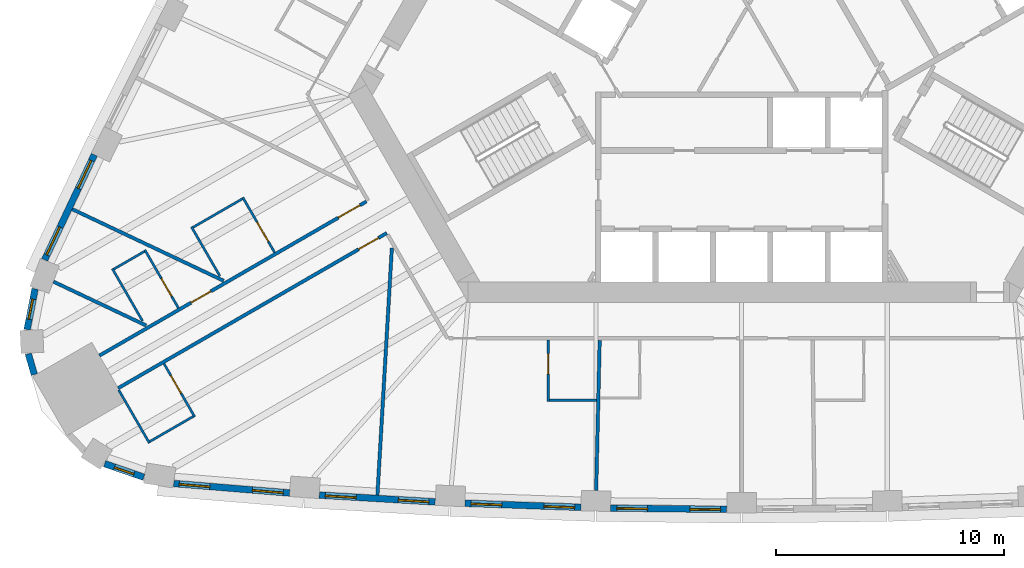
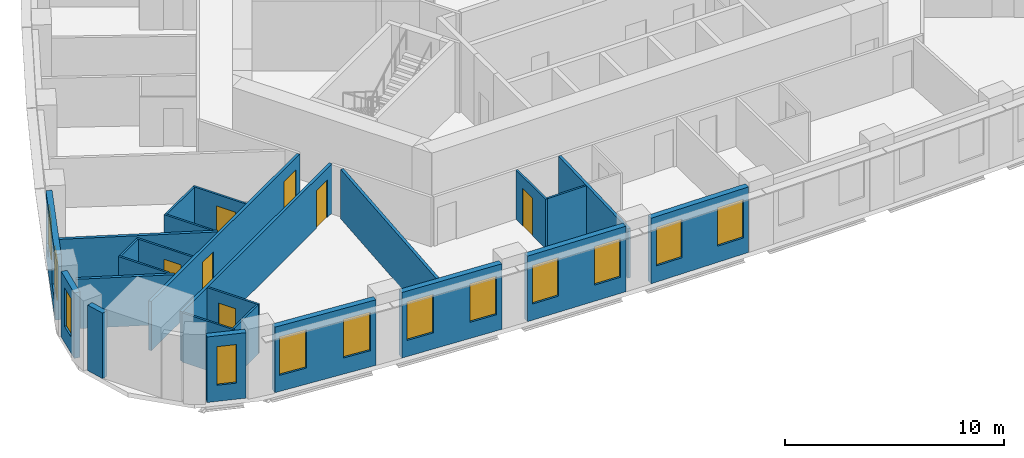
# One storey, part 3 of 13: 25 walls, 12 windows, 7 doors, 19 openings.
"""IFC4 building model written with IfcOpenShell, lengths in metres."""

from ifc_helpers import new_model, si_unit, direction, frame, frame_2d, origin, place, context, subcontext, project, spatial, rectangle, extrude, material, layer, layer_set, type_object, element, fill, save


model = new_model("IFC4")

# Units and contexts
model_context = context("Model", 3, precision=1e-05, world=origin(), true_north=direction((0.0, 1.0)))
body_context = subcontext(model_context, "Body", "Model", "MODEL_VIEW")
ifc_project = project(units=[si_unit("LENGTHUNIT", "METRE"), si_unit("AREAUNIT", "SQUARE_METRE"), si_unit("VOLUMEUNIT", "CUBIC_METRE"), si_unit("PLANEANGLEUNIT", "RADIAN"), si_unit("MASSUNIT", "GRAM", prefix="KILO")], contexts=[model_context])

# Site, building, storey
site_placement = place(None, origin())
site = spatial("IfcSite", under=ifc_project, at=site_placement, CompositionType="ELEMENT")
building_placement = place(site_placement, origin())
building = spatial("IfcBuilding", under=site, at=building_placement, Name="Mestral Congress Tower", CompositionType="ELEMENT")
storey_placement = place(building_placement, frame((0.0, 0.0, 114.89990234375)))
storey = spatial("IfcBuildingStorey", under=building, at=storey_placement, Name="L27", CompositionType="ELEMENT", Elevation=114.89990234375)

# Wall, openings, windows
ifc_material_1 = material(Name="Precast concrete C40/50 with limestone facing", Category="masonry")
ifc_layer_1 = layer(ifc_material_1, 0.2900390625)
ifc_layer_set_1 = layer_set([ifc_layer_1], Name="Precast concrete C40/50 with limestone facing")
wall_type_1 = type_object("IfcWallType", Name="Facade stone wall 290", PredefinedType="SOLIDWALL", material=ifc_layer_set_1)
wall_1_placement = place(storey_placement, frame((-24.9462890625, -20.95361328125, 0.0), z_axis=(0.0, 0.0, 1.0), x_axis=(0.99665273362, -0.081751627308, 0.0)))
wall_1 = element("IfcWall", 1, at=wall_1_placement, inside=storey, type_object=wall_type_1, Name="Facade wall F0-00", PredefinedType="SOLIDWALL", context=body_context, shape_type="SweptSolid", body=[
    extrude(rectangle(XDim=5.106689453125, YDim=0.2900390625, at=frame_2d((2.55322265625, 0.0))), origin(), (0.0, 0.0, 1.0), 3.650146484375),
])
opening_1_placement = place(wall_1_placement, frame((0.240478515625, 0.0, 0.89990234375)))
opening_1 = element("IfcOpeningElement", 2, at=opening_1_placement, cuts=wall_1, Name="Opening W2", PredefinedType="OPENING", context=body_context, shape_type="SweptSolid", body=[
    extrude(rectangle(XDim=1.35009765625, YDim=2.14990234375, at=frame_2d((0.675048828125, 1.074951171875))), frame((0.0, 0.155029296875, 0.0), z_axis=(0.0, -1.0, 0.0), x_axis=(1.0, 0.0, 0.0)), (0.0, 0.0, 1.0), 0.31005859375),
])
opening_2_placement = place(wall_1_placement, frame((3.47119140625, 0.0, 0.89990234375)))
opening_2 = element("IfcOpeningElement", 3, at=opening_2_placement, cuts=wall_1, Name="Opening W2", PredefinedType="OPENING", context=body_context, shape_type="SweptSolid", body=[
    extrude(rectangle(XDim=1.35009765625, YDim=2.14990234375, at=frame_2d((0.675048828125, 1.074951171875))), frame((0.0, 0.155029296875, 0.0), z_axis=(0.0, -1.0, 0.0), x_axis=(1.0, 0.0, 0.0)), (0.0, 0.0, 1.0), 0.31005859375),
])
ifc_material_2 = material(Name="Clear low-emissivity double glazing", Category="glass")
window_type_1 = type_object("IfcWindowType", Name="Facade punched window 1350 x 2150 sill 900", PartitioningType="DOUBLE_PANEL_VERTICAL", PredefinedType="WINDOW", material=ifc_material_2)
window_1_placement = place(opening_1_placement, origin())
window_1 = element("IfcWindow", 4, at=window_1_placement, inside=storey, type_object=window_type_1, Name="Window F0-00a", OverallHeight=2.14990234375, OverallWidth=1.35009765625, PartitioningType="DOUBLE_PANEL_VERTICAL", PredefinedType="WINDOW", context=body_context, shape_type="SweptSolid", body=[
    extrude(rectangle(XDim=1.35009765625, YDim=2.14990234375, at=frame_2d((0.675048828125, 1.074951171875))), frame((0.0, 0.01513671875, 0.0), z_axis=(0.0, -1.0, 0.0), x_axis=(1.0, 0.0, 0.0)), (0.0, 0.0, 1.0), 0.06005859375),
])
fill(opening_1, window_1)
window_2_placement = place(opening_2_placement, origin())
window_2 = element("IfcWindow", 5, at=window_2_placement, inside=storey, type_object=window_type_1, Name="Window F0-00b", OverallHeight=2.14990234375, OverallWidth=1.35009765625, PartitioningType="DOUBLE_PANEL_VERTICAL", PredefinedType="WINDOW", context=body_context, shape_type="SweptSolid", body=[
    extrude(rectangle(XDim=1.35009765625, YDim=2.14990234375, at=frame_2d((0.675048828125, 1.074951171875))), frame((0.0, 0.01513671875, 0.0), z_axis=(0.0, -1.0, 0.0), x_axis=(1.0, 0.0, 0.0)), (0.0, 0.0, 1.0), 0.06005859375),
])
fill(opening_2, window_2)

wall_2_placement = place(storey_placement, frame((-18.553466796875, -21.462890625, 0.0), z_axis=(0.0, 0.0, 1.0), x_axis=(0.998290511436, -0.058447025388, 0.0)))
wall_2 = element("IfcWall", 6, at=wall_2_placement, inside=storey, type_object=wall_type_1, Name="Facade wall F0-01", PredefinedType="SOLIDWALL", context=body_context, shape_type="SweptSolid", body=[
    extrude(rectangle(XDim=5.100341796875, YDim=0.2900390625, at=frame_2d((2.55029296875, 0.0))), origin(), (0.0, 0.0, 1.0), 3.650146484375),
])
opening_3_placement = place(wall_2_placement, frame((0.272705078125, 0.0, 0.89990234375)))
opening_3 = element("IfcOpeningElement", 7, at=opening_3_placement, cuts=wall_2, Name="Opening W2", PredefinedType="OPENING", context=body_context, shape_type="SweptSolid", body=[
    extrude(rectangle(XDim=1.35009765625, YDim=2.14990234375, at=frame_2d((0.675048828125, 1.074951171875))), frame((0.0, 0.155029296875, 0.0), z_axis=(0.0, -1.0, 0.0), x_axis=(1.0, 0.0, 0.0)), (0.0, 0.0, 1.0), 0.31005859375),
])
opening_4_placement = place(wall_2_placement, frame((3.477783203125, 0.0, 0.89990234375)))
opening_4 = element("IfcOpeningElement", 8, at=opening_4_placement, cuts=wall_2, Name="Opening W2", PredefinedType="OPENING", context=body_context, shape_type="SweptSolid", body=[
    extrude(rectangle(XDim=1.35009765625, YDim=2.14990234375, at=frame_2d((0.675048828125, 1.074951171875))), frame((0.0, 0.155029296875, 0.0), z_axis=(0.0, -1.0, 0.0), x_axis=(1.0, 0.0, 0.0)), (0.0, 0.0, 1.0), 0.31005859375),
])
window_3_placement = place(opening_3_placement, origin())
window_3 = element("IfcWindow", 9, at=window_3_placement, inside=storey, type_object=window_type_1, Name="Window F0-01a", OverallHeight=2.14990234375, OverallWidth=1.35009765625, PartitioningType="DOUBLE_PANEL_VERTICAL", PredefinedType="WINDOW", context=body_context, shape_type="SweptSolid", body=[
    extrude(rectangle(XDim=1.35009765625, YDim=2.14990234375, at=frame_2d((0.675048828125, 1.074951171875))), frame((0.0, 0.01513671875, 0.0), z_axis=(0.0, -1.0, 0.0), x_axis=(1.0, 0.0, 0.0)), (0.0, 0.0, 1.0), 0.06005859375),
])
fill(opening_3, window_3)
window_4_placement = place(opening_4_placement, origin())
window_4 = element("IfcWindow", 10, at=window_4_placement, inside=storey, type_object=window_type_1, Name="Window F0-01b", OverallHeight=2.14990234375, OverallWidth=1.35009765625, PartitioningType="DOUBLE_PANEL_VERTICAL", PredefinedType="WINDOW", context=body_context, shape_type="SweptSolid", body=[
    extrude(rectangle(XDim=1.35009765625, YDim=2.14990234375, at=frame_2d((0.675048828125, 1.074951171875))), frame((0.0, 0.01513671875, 0.0), z_axis=(0.0, -1.0, 0.0), x_axis=(1.0, 0.0, 0.0)), (0.0, 0.0, 1.0), 0.06005859375),
])
fill(opening_4, window_4)

wall_3_placement = place(storey_placement, frame((-12.15673828125, -21.822021484375, 0.0), z_axis=(0.0, 0.0, 1.0), x_axis=(0.999385993957, -0.035037623812, 0.0)))
wall_3 = element("IfcWall", 11, at=wall_3_placement, inside=storey, type_object=wall_type_1, Name="Facade wall F0-02", PredefinedType="SOLIDWALL", context=body_context, shape_type="SweptSolid", body=[
    extrude(rectangle(XDim=5.1005859375, YDim=0.2900390625, at=frame_2d((2.55029296875, 0.0))), origin(), (0.0, 0.0, 1.0), 3.650146484375),
])
opening_5_placement = place(wall_3_placement, frame((0.272705078125, 0.0, 0.89990234375)))
opening_5 = element("IfcOpeningElement", 12, at=opening_5_placement, cuts=wall_3, Name="Opening W2", PredefinedType="OPENING", context=body_context, shape_type="SweptSolid", body=[
    extrude(rectangle(XDim=1.35009765625, YDim=2.14990234375, at=frame_2d((0.675048828125, 1.074951171875))), frame((0.0, 0.155029296875, 0.0), z_axis=(0.0, -1.0, 0.0), x_axis=(1.0, 0.0, 0.0)), (0.0, 0.0, 1.0), 0.31005859375),
])
opening_6_placement = place(wall_3_placement, frame((3.477783203125, 0.0, 0.89990234375)))
opening_6 = element("IfcOpeningElement", 13, at=opening_6_placement, cuts=wall_3, Name="Opening W2", PredefinedType="OPENING", context=body_context, shape_type="SweptSolid", body=[
    extrude(rectangle(XDim=1.35009765625, YDim=2.14990234375, at=frame_2d((0.675048828125, 1.074951171875))), frame((0.0, 0.155029296875, 0.0), z_axis=(0.0, -1.0, 0.0), x_axis=(1.0, 0.0, 0.0)), (0.0, 0.0, 1.0), 0.31005859375),
])
window_5_placement = place(opening_5_placement, origin())
window_5 = element("IfcWindow", 14, at=window_5_placement, inside=storey, type_object=window_type_1, Name="Window F0-02a", OverallHeight=2.14990234375, OverallWidth=1.35009765625, PartitioningType="DOUBLE_PANEL_VERTICAL", PredefinedType="WINDOW", context=body_context, shape_type="SweptSolid", body=[
    extrude(rectangle(XDim=1.35009765625, YDim=2.14990234375, at=frame_2d((0.675048828125, 1.074951171875))), frame((0.0, 0.01513671875, 0.0), z_axis=(0.0, -1.0, 0.0), x_axis=(1.0, 0.0, 0.0)), (0.0, 0.0, 1.0), 0.06005859375),
])
fill(opening_5, window_5)
window_6_placement = place(opening_6_placement, origin())
window_6 = element("IfcWindow", 15, at=window_6_placement, inside=storey, type_object=window_type_1, Name="Window F0-02b", OverallHeight=2.14990234375, OverallWidth=1.35009765625, PartitioningType="DOUBLE_PANEL_VERTICAL", PredefinedType="WINDOW", context=body_context, shape_type="SweptSolid", body=[
    extrude(rectangle(XDim=1.35009765625, YDim=2.14990234375, at=frame_2d((0.675048828125, 1.074951171875))), frame((0.0, 0.01513671875, 0.0), z_axis=(0.0, -1.0, 0.0), x_axis=(1.0, 0.0, 0.0)), (0.0, 0.0, 1.0), 0.06005859375),
])
fill(opening_6, window_6)

wall_4_placement = place(storey_placement, frame((-5.753173828125, -22.031494140625, 0.0), z_axis=(0.0, 0.0, 1.0), x_axis=(0.999931786565, -0.011679992145, 0.0)))
wall_4 = element("IfcWall", 16, at=wall_4_placement, inside=storey, type_object=wall_type_1, Name="Facade wall F0-03", PredefinedType="SOLIDWALL", context=body_context, shape_type="SweptSolid", body=[
    extrude(rectangle(XDim=5.10009765625, YDim=0.2900390625, at=frame_2d((2.550048828125, 0.0))), origin(), (0.0, 0.0, 1.0), 3.650146484375),
])
opening_7_placement = place(wall_4_placement, frame((0.2724609375, 0.0, 0.89990234375)))
opening_7 = element("IfcOpeningElement", 17, at=opening_7_placement, cuts=wall_4, Name="Opening W2", PredefinedType="OPENING", context=body_context, shape_type="SweptSolid", body=[
    extrude(rectangle(XDim=1.35009765625, YDim=2.14990234375, at=frame_2d((0.675048828125, 1.074951171875))), frame((0.0, 0.155029296875, 0.0), z_axis=(0.0, -1.0, 0.0), x_axis=(1.0, 0.0, 0.0)), (0.0, 0.0, 1.0), 0.31005859375),
])
opening_8_placement = place(wall_4_placement, frame((3.477783203125, 0.0, 0.89990234375)))
opening_8 = element("IfcOpeningElement", 18, at=opening_8_placement, cuts=wall_4, Name="Opening W2", PredefinedType="OPENING", context=body_context, shape_type="SweptSolid", body=[
    extrude(rectangle(XDim=1.35009765625, YDim=2.14990234375, at=frame_2d((0.675048828125, 1.074951171875))), frame((0.0, 0.155029296875, 0.0), z_axis=(0.0, -1.0, 0.0), x_axis=(1.0, 0.0, 0.0)), (0.0, 0.0, 1.0), 0.31005859375),
])
window_7_placement = place(opening_7_placement, origin())
window_7 = element("IfcWindow", 19, at=window_7_placement, inside=storey, type_object=window_type_1, Name="Window F0-03a", OverallHeight=2.14990234375, OverallWidth=1.35009765625, PartitioningType="DOUBLE_PANEL_VERTICAL", PredefinedType="WINDOW", context=body_context, shape_type="SweptSolid", body=[
    extrude(rectangle(XDim=1.35009765625, YDim=2.14990234375, at=frame_2d((0.675048828125, 1.074951171875))), frame((0.0, 0.01513671875, 0.0), z_axis=(0.0, -1.0, 0.0), x_axis=(1.0, 0.0, 0.0)), (0.0, 0.0, 1.0), 0.06005859375),
])
fill(opening_7, window_7)
window_8_placement = place(opening_8_placement, origin())
window_8 = element("IfcWindow", 20, at=window_8_placement, inside=storey, type_object=window_type_1, Name="Window F0-03b", OverallHeight=2.14990234375, OverallWidth=1.35009765625, PartitioningType="DOUBLE_PANEL_VERTICAL", PredefinedType="WINDOW", context=body_context, shape_type="SweptSolid", body=[
    extrude(rectangle(XDim=1.35009765625, YDim=2.14990234375, at=frame_2d((0.675048828125, 1.074951171875))), frame((0.0, 0.01513671875, 0.0), z_axis=(0.0, -1.0, 0.0), x_axis=(1.0, 0.0, 0.0)), (0.0, 0.0, 1.0), 0.06005859375),
])
fill(opening_8, window_8)

wall_5_placement = place(storey_placement, frame((-28.436279296875, -6.5107421875, 0.0), z_axis=(0.0, 0.0, 1.0), x_axis=(-0.427543726596, -0.903994669148, 0.0)))
wall_5 = element("IfcWall", 21, at=wall_5_placement, inside=storey, type_object=wall_type_1, Name="Facade wall F2-07", PredefinedType="SOLIDWALL", context=body_context, shape_type="SweptSolid", body=[
    extrude(rectangle(XDim=5.106689453125, YDim=0.2900390625, at=frame_2d((2.55322265625, 0.0))), origin(), (0.0, 0.0, 1.0), 3.650146484375),
])
opening_9_placement = place(wall_5_placement, frame((0.285400390625, 0.0, 0.89990234375)))
opening_9 = element("IfcOpeningElement", 22, at=opening_9_placement, cuts=wall_5, Name="Opening W2", PredefinedType="OPENING", context=body_context, shape_type="SweptSolid", body=[
    extrude(rectangle(XDim=1.35009765625, YDim=2.14990234375, at=frame_2d((0.675048828125, 1.074951171875))), frame((0.0, 0.155029296875, 0.0), z_axis=(0.0, -1.0, 0.0), x_axis=(1.0, 0.0, 0.0)), (0.0, 0.0, 1.0), 0.31005859375),
])
opening_10_placement = place(wall_5_placement, frame((3.516357421875, 0.0, 0.89990234375)))
opening_10 = element("IfcOpeningElement", 23, at=opening_10_placement, cuts=wall_5, Name="Opening W2", PredefinedType="OPENING", context=body_context, shape_type="SweptSolid", body=[
    extrude(rectangle(XDim=1.35009765625, YDim=2.14990234375, at=frame_2d((0.675048828125, 1.074951171875))), frame((0.0, 0.155029296875, 0.0), z_axis=(0.0, -1.0, 0.0), x_axis=(1.0, 0.0, 0.0)), (0.0, 0.0, 1.0), 0.31005859375),
])
window_9_placement = place(opening_9_placement, origin())
window_9 = element("IfcWindow", 24, at=window_9_placement, inside=storey, type_object=window_type_1, Name="Window F2-07a", OverallHeight=2.14990234375, OverallWidth=1.35009765625, PartitioningType="DOUBLE_PANEL_VERTICAL", PredefinedType="WINDOW", context=body_context, shape_type="SweptSolid", body=[
    extrude(rectangle(XDim=1.35009765625, YDim=2.14990234375, at=frame_2d((0.675048828125, 1.074951171875))), frame((0.0, 0.01513671875, 0.0), z_axis=(0.0, -1.0, 0.0), x_axis=(1.0, 0.0, 0.0)), (0.0, 0.0, 1.0), 0.06005859375),
])
fill(opening_9, window_9)
window_10_placement = place(opening_10_placement, origin())
window_10 = element("IfcWindow", 25, at=window_10_placement, inside=storey, type_object=window_type_1, Name="Window F2-07b", OverallHeight=2.14990234375, OverallWidth=1.35009765625, PartitioningType="DOUBLE_PANEL_VERTICAL", PredefinedType="WINDOW", context=body_context, shape_type="SweptSolid", body=[
    extrude(rectangle(XDim=1.35009765625, YDim=2.14990234375, at=frame_2d((0.675048828125, 1.074951171875))), frame((0.0, 0.01513671875, 0.0), z_axis=(0.0, -1.0, 0.0), x_axis=(1.0, 0.0, 0.0)), (0.0, 0.0, 1.0), 0.06005859375),
])
fill(opening_10, window_10)

# Wall, opening, window
wall_6_placement = place(storey_placement, frame((-31.0390625, -12.403076171875, 0.0), z_axis=(0.0, 0.0, 1.0), x_axis=(-0.190409913989, -0.981704672829, 0.0)))
wall_6 = element("IfcWall", 26, at=wall_6_placement, inside=storey, type_object=wall_type_1, Name="Facade wall K2-0", PredefinedType="SOLIDWALL", context=body_context, shape_type="SweptSolid", body=[
    extrude(rectangle(XDim=1.8193359375, YDim=0.2900390625, at=frame_2d((0.90966796875, 0.0))), origin(), (0.0, 0.0, 1.0), 3.650146484375),
])
opening_11_placement = place(wall_6_placement, frame((0.459716796875, 0.0, 0.89990234375)))
opening_11 = element("IfcOpeningElement", 27, at=opening_11_placement, cuts=wall_6, Name="Opening W3", PredefinedType="OPENING", context=body_context, shape_type="SweptSolid", body=[
    extrude(rectangle(XDim=0.89990234375, YDim=2.14990234375, at=frame_2d((0.449951171875, 1.074951171875))), frame((0.0, 0.155029296875, 0.0), z_axis=(0.0, -1.0, 0.0), x_axis=(1.0, 0.0, 0.0)), (0.0, 0.0, 1.0), 0.31005859375),
])
window_type_2 = type_object("IfcWindowType", Name="Facade punched window 900 x 2150 sill 900", PartitioningType="SINGLE_PANEL", PredefinedType="WINDOW", material=ifc_material_2)
window_11_placement = place(opening_11_placement, origin())
window_11 = element("IfcWindow", 28, at=window_11_placement, inside=storey, type_object=window_type_2, Name="Window K2-0", OverallHeight=2.14990234375, OverallWidth=0.89990234375, PartitioningType="SINGLE_PANEL", PredefinedType="WINDOW", context=body_context, shape_type="SweptSolid", body=[
    extrude(rectangle(XDim=0.89990234375, YDim=2.14990234375, at=frame_2d((0.449951171875, 1.074951171875))), frame((0.0, 0.01513671875, 0.0), z_axis=(0.0, -1.0, 0.0), x_axis=(1.0, 0.0, 0.0)), (0.0, 0.0, 1.0), 0.06005859375),
])
fill(opening_11, window_11)

# Wall
wall_7_placement = place(storey_placement, frame((-31.335693359375, -15.25634765625, 0.0), z_axis=(0.0, 0.0, 1.0), x_axis=(0.281454582132, -0.95957455062, 0.0)))
element("IfcWall", 29, at=wall_7_placement, inside=storey, type_object=wall_type_1, Name="Facade wall K2-1", PredefinedType="SOLIDWALL", context=body_context, shape_type="SweptSolid", body=[
    extrude(rectangle(XDim=0.947265625, YDim=0.2900390625, at=frame_2d((0.4736328125, 0.0))), origin(), (0.0, 0.0, 1.0), 3.650146484375),
])

# Wall, opening, window
wall_8_placement = place(storey_placement, frame((-27.98095703125, -20.086181640625, 0.0), z_axis=(0.0, 0.0, 1.0), x_axis=(0.945385815453, -0.325953462844, 0.0)))
wall_8 = element("IfcWall", 30, at=wall_8_placement, inside=storey, type_object=wall_type_1, Name="Facade wall K2-3", PredefinedType="SOLIDWALL", context=body_context, shape_type="SweptSolid", body=[
    extrude(rectangle(XDim=1.8193359375, YDim=0.2900390625, at=frame_2d((0.90966796875, 0.0))), origin(), (0.0, 0.0, 1.0), 3.650146484375),
])
opening_12_placement = place(wall_8_placement, frame((0.459716796875, 0.0, 0.89990234375)))
opening_12 = element("IfcOpeningElement", 31, at=opening_12_placement, cuts=wall_8, Name="Opening W3", PredefinedType="OPENING", context=body_context, shape_type="SweptSolid", body=[
    extrude(rectangle(XDim=0.89990234375, YDim=2.14990234375, at=frame_2d((0.449951171875, 1.074951171875))), frame((0.0, 0.155029296875, 0.0), z_axis=(0.0, -1.0, 0.0), x_axis=(1.0, 0.0, 0.0)), (0.0, 0.0, 1.0), 0.31005859375),
])
window_12_placement = place(opening_12_placement, origin())
window_12 = element("IfcWindow", 32, at=window_12_placement, inside=storey, type_object=window_type_2, Name="Window K2-3", OverallHeight=2.14990234375, OverallWidth=0.89990234375, PartitioningType="SINGLE_PANEL", PredefinedType="WINDOW", context=body_context, shape_type="SweptSolid", body=[
    extrude(rectangle(XDim=0.89990234375, YDim=2.14990234375, at=frame_2d((0.449951171875, 1.074951171875))), frame((0.0, 0.01513671875, 0.0), z_axis=(0.0, -1.0, 0.0), x_axis=(1.0, 0.0, 0.0)), (0.0, 0.0, 1.0), 0.06005859375),
])
fill(opening_12, window_12)

# Wall, opening, door
ifc_material_3 = material(Name="Gypsum board partition on metal studs with mineral wool", Category="composite")
ifc_layer_2 = layer(ifc_material_3, 0.10009765625)
ifc_layer_set_2 = layer_set([ifc_layer_2], Name="Gypsum board partition on metal studs with mineral wool")
wall_type_2 = type_object("IfcWallType", Name="Hotel partition wall 100", PredefinedType="PARTITIONING", material=ifc_layer_set_2)
wall_9_placement = place(storey_placement, frame((-24.023681640625, -18.027099609375, 0.0), z_axis=(0.0, 0.0, 1.0), x_axis=(-0.4999416173, 0.866059108428, 0.0)))
wall_9 = element("IfcWall", 33, at=wall_9_placement, inside=storey, type_object=wall_type_2, Name="L27-h-pod01a", PredefinedType="PARTITIONING", context=body_context, shape_type="SweptSolid", body=[
    extrude(rectangle(XDim=2.699951171875, YDim=0.10009765625, at=frame_2d((1.35009765625, 0.0))), origin(), (0.0, 0.0, 1.0), 2.75),
])
opening_13_placement = place(wall_9_placement, frame((1.199951171875, 0.0, 0.0)))
opening_13 = element("IfcOpeningElement", 34, at=opening_13_placement, cuts=wall_9, Name="Opening H08-002", PredefinedType="OPENING", context=body_context, shape_type="SweptSolid", body=[
    extrude(rectangle(XDim=0.89990234375, YDim=2.10009765625, at=frame_2d((0.449951171875, 1.050048828125))), frame((0.0, 0.06005859375, 0.0), z_axis=(0.0, -1.0, 0.0), x_axis=(1.0, 0.0, 0.0)), (0.0, 0.0, 1.0), 0.1201171875),
])
ifc_material_4 = material(Name="Timber veneer door leaf in timber frame", Category="wood")
door_type_1 = type_object("IfcDoorType", Name="Bathroom door 900", OperationType="SINGLE_SWING_LEFT", PredefinedType="DOOR", material=ifc_material_4)
door_1_placement = place(opening_13_placement, origin())
door_1 = element("IfcDoor", 35, at=door_1_placement, inside=storey, type_object=door_type_1, Name="L27-h-d002", OperationType="SINGLE_SWING_LEFT", OverallHeight=2.10009765625, OverallWidth=0.89990234375, PredefinedType="DOOR", context=body_context, shape_type="SweptSolid", body=[
    extrude(rectangle(XDim=0.89990234375, YDim=2.10009765625, at=frame_2d((0.449951171875, 1.050048828125))), frame((0.0, 0.02490234375, 0.0), z_axis=(0.0, -1.0, 0.0), x_axis=(1.0, 0.0, 0.0)), (0.0, 0.0, 1.0), 0.050048828125),
])
fill(opening_13, door_1)

# Walls
wall_10_placement = place(storey_placement, frame((-24.091796875, -18.0087890625, 0.0), z_axis=(0.0, 0.0, 1.0), x_axis=(-0.866083962871, -0.499898558967, 0.0)))
element("IfcWall", 36, at=wall_10_placement, inside=storey, type_object=wall_type_2, Name="L27-h-pod01b", PredefinedType="PARTITIONING", context=body_context, shape_type="SweptSolid", body=[
    extrude(rectangle(XDim=2.2001953125, YDim=0.10009765625, at=frame_2d((1.10009765625, 0.0))), origin(), (0.0, 0.0, 1.0), 2.75),
])
wall_11_placement = place(storey_placement, frame((-27.365478515625, -16.838623046875, 0.0), z_axis=(0.0, 0.0, 1.0), x_axis=(0.50000943426, -0.866019956843, 0.0)))
element("IfcWall", 37, at=wall_11_placement, inside=storey, type_object=wall_type_2, Name="L27-h-pod01c", PredefinedType="PARTITIONING", context=body_context, shape_type="SweptSolid", body=[
    extrude(rectangle(XDim=2.7001953125, YDim=0.10009765625, at=frame_2d((1.35009765625, 0.0))), origin(), (0.0, 0.0, 1.0), 2.75),
])

# Wall, opening, door
wall_12_placement = place(storey_placement, frame((-8.48779296875, -14.64990234375, 0.0), z_axis=(0.0, 0.0, 1.0), x_axis=(0.0, -1.0, 0.0)))
wall_12 = element("IfcWall", 38, at=wall_12_placement, inside=storey, type_object=wall_type_2, Name="L27-h-pod02a", PredefinedType="PARTITIONING", context=body_context, shape_type="SweptSolid", body=[
    extrude(rectangle(XDim=2.7001953125, YDim=0.10009765625, at=frame_2d((1.35009765625, 0.0))), origin(), (0.0, 0.0, 1.0), 2.75),
])
opening_14_placement = place(wall_12_placement, frame((0.60009765625, 0.0, 0.0)))
opening_14 = element("IfcOpeningElement", 39, at=opening_14_placement, cuts=wall_12, Name="Opening H08-004", PredefinedType="OPENING", context=body_context, shape_type="SweptSolid", body=[
    extrude(rectangle(XDim=0.89990234375, YDim=2.10009765625, at=frame_2d((0.449951171875, 1.050048828125))), frame((0.0, 0.06005859375, 0.0), z_axis=(0.0, -1.0, 0.0), x_axis=(1.0, 0.0, 0.0)), (0.0, 0.0, 1.0), 0.1201171875),
])
door_2_placement = place(opening_14_placement, origin())
door_2 = element("IfcDoor", 40, at=door_2_placement, inside=storey, type_object=door_type_1, Name="L27-h-d004", OperationType="SINGLE_SWING_LEFT", OverallHeight=2.10009765625, OverallWidth=0.89990234375, PredefinedType="DOOR", context=body_context, shape_type="SweptSolid", body=[
    extrude(rectangle(XDim=0.89990234375, YDim=2.10009765625, at=frame_2d((0.449951171875, 1.050048828125))), frame((0.0, 0.02490234375, 0.0), z_axis=(0.0, -1.0, 0.0), x_axis=(1.0, 0.0, 0.0)), (0.0, 0.0, 1.0), 0.050048828125),
])
fill(opening_14, door_2)

# Wall
wall_13_placement = place(storey_placement, frame((-8.437744140625, -17.300048828125, 0.0), z_axis=(0.0, 0.0, 1.0), x_axis=(1.0, 0.0, 0.0)))
element("IfcWall", 41, at=wall_13_placement, inside=storey, type_object=wall_type_2, Name="L27-h-pod02b", PredefinedType="PARTITIONING", context=body_context, shape_type="SweptSolid", body=[
    extrude(rectangle(XDim=2.06005859375, YDim=0.10009765625, at=frame_2d((1.030029296875, 0.0))), origin(), (0.0, 0.0, 1.0), 2.75),
])

# Wall, opening, door
wall_14_placement = place(storey_placement, frame((-20.5146484375, -10.804931640625, 0.0), z_axis=(0.0, 0.0, 1.0), x_axis=(-0.49994636267, 0.866056369097, 0.0)))
wall_14 = element("IfcWall", 42, at=wall_14_placement, inside=storey, type_object=wall_type_2, Name="L27-h-pod24a", PredefinedType="PARTITIONING", context=body_context, shape_type="SweptSolid", body=[
    extrude(rectangle(XDim=2.800048828125, YDim=0.10009765625, at=frame_2d((1.39990234375, 0.0))), origin(), (0.0, 0.0, 1.0), 2.75),
])
opening_15_placement = place(wall_14_placement, frame((0.550048828125, 0.0, 0.0)))
opening_15 = element("IfcOpeningElement", 43, at=opening_15_placement, cuts=wall_14, Name="Opening H08-043", PredefinedType="OPENING", context=body_context, shape_type="SweptSolid", body=[
    extrude(rectangle(XDim=1.0, YDim=2.10009765625, at=frame_2d((0.5, 1.050048828125))), frame((0.0, 0.06005859375, 0.0), z_axis=(0.0, -1.0, 0.0), x_axis=(1.0, 0.0, 0.0)), (0.0, 0.0, 1.0), 0.1201171875),
])
door_type_2 = type_object("IfcDoorType", Name="Accessible bathroom door 1000", OperationType="SINGLE_SWING_LEFT", PredefinedType="DOOR", material=ifc_material_4)
door_3_placement = place(opening_15_placement, origin())
door_3 = element("IfcDoor", 44, at=door_3_placement, inside=storey, type_object=door_type_2, Name="L27-h-d043", OperationType="SINGLE_SWING_RIGHT", OverallHeight=2.10009765625, OverallWidth=1.0, PredefinedType="DOOR", context=body_context, shape_type="SweptSolid", body=[
    extrude(rectangle(XDim=1.0, YDim=2.10009765625, at=frame_2d((0.5, 1.050048828125))), frame((0.0, 0.02490234375, 0.0), z_axis=(0.0, -1.0, 0.0), x_axis=(1.0, 0.0, 0.0)), (0.0, 0.0, 1.0), 0.050048828125),
])
fill(opening_15, door_3)

# Walls
for number, where, z_axis, x_axis, name in (
    (45, (-21.932861328125, -8.4482421875, 0.0), (0.0, 0.0, 1.0), (-0.866022959057, -0.500004234368, 0.0), "L27-h-pod24b"),
    (46, (-22.916259765625, -11.844970703125, 0.0), (0.0, 0.0, 1.0), (-0.500004234368, 0.866022959057, 0.0), "L27-h-pod24c"),
):
    element("IfcWall", number, at=place(storey_placement, frame(where, z_axis=z_axis, x_axis=x_axis)), inside=storey, type_object=wall_type_2, Name=name, PredefinedType="PARTITIONING", context=body_context, shape_type="SweptSolid", body=[
        extrude(rectangle(XDim=2.5, YDim=0.10009765625, at=frame_2d((1.25, 0.0))), origin(), (0.0, 0.0, 1.0), 2.75),
    ])

# Wall, opening, door
wall_15_placement = place(storey_placement, frame((-24.739990234375, -13.244384765625, 0.0), z_axis=(0.0, 0.0, 1.0), x_axis=(-0.500037662692, 0.866003658127, 0.0)))
wall_15 = element("IfcWall", 47, at=wall_15_placement, inside=storey, type_object=wall_type_2, Name="L27-h-pod25a", PredefinedType="PARTITIONING", context=body_context, shape_type="SweptSolid", body=[
    extrude(rectangle(XDim=2.949951171875, YDim=0.10009765625, at=frame_2d((1.47509765625, 0.0))), origin(), (0.0, 0.0, 1.0), 2.75),
])
opening_16_placement = place(wall_15_placement, frame((0.60009765625, 0.0, 0.0)))
opening_16 = element("IfcOpeningElement", 48, at=opening_16_placement, cuts=wall_15, Name="Opening H08-045", PredefinedType="OPENING", context=body_context, shape_type="SweptSolid", body=[
    extrude(rectangle(XDim=0.89990234375, YDim=2.10009765625, at=frame_2d((0.449951171875, 1.050048828125))), frame((0.0, 0.06005859375, 0.0), z_axis=(0.0, -1.0, 0.0), x_axis=(1.0, 0.0, 0.0)), (0.0, 0.0, 1.0), 0.1201171875),
])
door_4_placement = place(opening_16_placement, origin())
door_4 = element("IfcDoor", 49, at=door_4_placement, inside=storey, type_object=door_type_1, Name="L27-h-d045", OperationType="SINGLE_SWING_LEFT", OverallHeight=2.10009765625, OverallWidth=0.89990234375, PredefinedType="DOOR", context=body_context, shape_type="SweptSolid", body=[
    extrude(rectangle(XDim=0.89990234375, YDim=2.10009765625, at=frame_2d((0.449951171875, 1.050048828125))), frame((0.0, 0.02490234375, 0.0), z_axis=(0.0, -1.0, 0.0), x_axis=(1.0, 0.0, 0.0)), (0.0, 0.0, 1.0), 0.050048828125),
])
fill(opening_16, door_4)

# Walls
wall_16_placement = place(storey_placement, frame((-26.2333984375, -10.758056640625, 0.0), z_axis=(0.0, 0.0, 1.0), x_axis=(-0.866043940782, -0.499967891604, 0.0)))
element("IfcWall", 50, at=wall_16_placement, inside=storey, type_object=wall_type_2, Name="L27-h-pod25b", PredefinedType="PARTITIONING", context=body_context, shape_type="SweptSolid", body=[
    extrude(rectangle(XDim=1.5498046875, YDim=0.10009765625, at=frame_2d((0.77490234375, 0.0))), origin(), (0.0, 0.0, 1.0), 2.75),
])
wall_17_placement = place(storey_placement, frame((-26.319091796875, -13.809814453125, 0.0), z_axis=(0.0, 0.0, 1.0), x_axis=(-0.499953715521, 0.866052124492, 0.0)))
element("IfcWall", 51, at=wall_17_placement, inside=storey, type_object=wall_type_2, Name="L27-h-pod25c", PredefinedType="PARTITIONING", context=body_context, shape_type="SweptSolid", body=[
    extrude(rectangle(XDim=2.650146484375, YDim=0.10009765625, at=frame_2d((1.3251953125, 0.0))), origin(), (0.0, 0.0, 1.0), 2.75),
])

# Wall, openings, doors
ifc_layer_3 = layer(ifc_material_3, 0.14990234375)
ifc_layer_set_3 = layer_set([ifc_layer_3], Name="Gypsum board partition on metal studs with mineral wool")
wall_type_3 = type_object("IfcWallType", Name="Hotel partition wall 150", PredefinedType="PARTITIONING", material=ifc_layer_set_3)
wall_18_placement = place(storey_placement, frame((-28.210693359375, -15.334716796875, 0.0), z_axis=(0.0, 0.0, 1.0), x_axis=(0.866025884867, 0.49999916674, 0.0)))
wall_18 = element("IfcWall", 52, at=wall_18_placement, inside=storey, type_object=wall_type_3, Name="L27-h-cw10", PredefinedType="PARTITIONING", context=body_context, shape_type="SweptSolid", body=[
    extrude(rectangle(XDim=13.54345703125, YDim=0.14990234375, at=frame_2d((6.771728515625, 0.0))), origin(), (0.0, 0.0, 1.0), 2.75),
])
opening_17_placement = place(wall_18_placement, frame((12.113525390625, 0.0, 0.0)))
opening_17 = element("IfcOpeningElement", 53, at=opening_17_placement, cuts=wall_18, Name="Opening H08-042", PredefinedType="OPENING", context=body_context, shape_type="SweptSolid", body=[
    extrude(rectangle(XDim=1.10009765625, YDim=2.10009765625, at=frame_2d((0.550048828125, 1.050048828125))), frame((0.0, 0.0849609375, 0.0), z_axis=(0.0, -1.0, 0.0), x_axis=(1.0, 0.0, 0.0)), (0.0, 0.0, 1.0), 0.169921875),
])
opening_18_placement = place(wall_18_placement, frame((4.650146484375, 0.0, 0.0)))
opening_18 = element("IfcOpeningElement", 54, at=opening_18_placement, cuts=wall_18, Name="Opening H08-044", PredefinedType="OPENING", context=body_context, shape_type="SweptSolid", body=[
    extrude(rectangle(XDim=1.0, YDim=2.10009765625, at=frame_2d((0.5, 1.050048828125))), frame((0.0, 0.0849609375, 0.0), z_axis=(0.0, -1.0, 0.0), x_axis=(1.0, 0.0, 0.0)), (0.0, 0.0, 1.0), 0.169921875),
])
ifc_material_5 = material(Name="Timber veneer door leaf in metal frame", Category="wood")
door_type_3 = type_object("IfcDoorType", Name="Accessible room entrance door 1100", OperationType="SINGLE_SWING_LEFT", PredefinedType="DOOR", material=ifc_material_5)
door_5_placement = place(opening_17_placement, origin())
door_5 = element("IfcDoor", 55, at=door_5_placement, inside=storey, type_object=door_type_3, Name="L27-h-d042", OperationType="SINGLE_SWING_RIGHT", OverallHeight=2.10009765625, OverallWidth=1.10009765625, PredefinedType="DOOR", context=body_context, shape_type="SweptSolid", body=[
    extrude(rectangle(XDim=1.10009765625, YDim=2.10009765625, at=frame_2d((0.550048828125, 1.050048828125))), frame((0.0, 0.02490234375, 0.0), z_axis=(0.0, -1.0, 0.0), x_axis=(1.0, 0.0, 0.0)), (0.0, 0.0, 1.0), 0.050048828125),
])
fill(opening_17, door_5)
door_type_4 = type_object("IfcDoorType", Name="Guest room entrance door 1000", OperationType="SINGLE_SWING_LEFT", PredefinedType="DOOR", material=ifc_material_5)
door_6_placement = place(opening_18_placement, origin())
door_6 = element("IfcDoor", 56, at=door_6_placement, inside=storey, type_object=door_type_4, Name="L27-h-d044", OperationType="SINGLE_SWING_RIGHT", OverallHeight=2.10009765625, OverallWidth=1.0, PredefinedType="DOOR", context=body_context, shape_type="SweptSolid", body=[
    extrude(rectangle(XDim=1.0, YDim=2.10009765625, at=frame_2d((0.5, 1.050048828125))), frame((0.0, 0.02490234375, 0.0), z_axis=(0.0, -1.0, 0.0), x_axis=(1.0, 0.0, 0.0)), (0.0, 0.0, 1.0), 0.050048828125),
])
fill(opening_18, door_6)

# Wall, opening, door
wall_19_placement = place(storey_placement, frame((-15.58740234375, -9.951904296875, 0.0), z_axis=(0.0, 0.0, 1.0), x_axis=(-0.866017869832, -0.500013048961, 0.0)))
wall_19 = element("IfcWall", 57, at=wall_19_placement, inside=storey, type_object=wall_type_3, Name="L27-h-cw11", PredefinedType="PARTITIONING", context=body_context, shape_type="SweptSolid", body=[
    extrude(rectangle(XDim=13.623779296875, YDim=0.14990234375, at=frame_2d((6.81201171875, 0.0))), origin(), (0.0, 0.0, 1.0), 2.75),
])
opening_19_placement = place(wall_19_placement, frame((0.427001953125, 0.0, 0.0)))
opening_19 = element("IfcOpeningElement", 58, at=opening_19_placement, cuts=wall_19, Name="Opening H08-001", PredefinedType="OPENING", context=body_context, shape_type="SweptSolid", body=[
    extrude(rectangle(XDim=1.0, YDim=2.10009765625, at=frame_2d((0.5, 1.050048828125))), frame((0.0, 0.0849609375, 0.0), z_axis=(0.0, -1.0, 0.0), x_axis=(1.0, 0.0, 0.0)), (0.0, 0.0, 1.0), 0.169921875),
])
door_7_placement = place(opening_19_placement, origin())
door_7 = element("IfcDoor", 59, at=door_7_placement, inside=storey, type_object=door_type_4, Name="L27-h-d001", OperationType="SINGLE_SWING_LEFT", OverallHeight=2.10009765625, OverallWidth=1.0, PredefinedType="DOOR", context=body_context, shape_type="SweptSolid", body=[
    extrude(rectangle(XDim=1.0, YDim=2.10009765625, at=frame_2d((0.5, 1.050048828125))), frame((0.0, 0.02490234375, 0.0), z_axis=(0.0, -1.0, 0.0), x_axis=(1.0, 0.0, 0.0)), (0.0, 0.0, 1.0), 0.050048828125),
])
fill(opening_19, door_7)

# Walls
wall_20_placement = place(storey_placement, frame((-30.23095703125, -12.08544921875, 0.0), z_axis=(0.0, 0.0, 1.0), x_axis=(0.904001132572, -0.427530060122, 0.0)))
element("IfcWall", 60, at=wall_20_placement, inside=storey, type_object=wall_type_3, Name="L27-h-pw01", PredefinedType="PARTITIONING", context=body_context, shape_type="SweptSolid", body=[
    extrude(rectangle(XDim=4.509521484375, YDim=0.14990234375, at=frame_2d((2.2548828125, 0.0))), origin(), (0.0, 0.0, 1.0), 2.75),
])
wall_21_placement = place(storey_placement, frame((-29.406494140625, -8.9013671875, 0.0), z_axis=(0.0, 0.0, 1.0), x_axis=(0.904002363742, -0.427527456836, 0.0)))
element("IfcWall", 61, at=wall_21_placement, inside=storey, type_object=wall_type_3, Name="L27-h-pw02", PredefinedType="PARTITIONING", context=body_context, shape_type="SweptSolid", body=[
    extrude(rectangle(XDim=7.362060546875, YDim=0.14990234375, at=frame_2d((3.68115234375, 0.0))), origin(), (0.0, 0.0, 1.0), 2.75),
])
wall_22_placement = place(storey_placement, frame((-15.9990234375, -21.467041015625, 0.0), z_axis=(0.0, 0.0, 1.0), x_axis=(0.058411453297, 0.998292593443, 0.0)))
element("IfcWall", 62, at=wall_22_placement, inside=storey, type_object=wall_type_3, Name="L27-h-pw06", PredefinedType="PARTITIONING", context=body_context, shape_type="SweptSolid", body=[
    extrude(rectangle(XDim=10.87548828125, YDim=0.14990234375, at=frame_2d((5.437744140625, 0.0))), origin(), (0.0, 0.0, 1.0), 2.75),
])
wall_23_placement = place(storey_placement, frame((-6.388916015625, -21.268798828125, 0.0), z_axis=(0.0, 0.0, 1.0), x_axis=(0.023377429176, 0.999726710559, 0.0)))
element("IfcWall", 63, at=wall_23_placement, inside=storey, type_object=wall_type_3, Name="L27-h-pw10", PredefinedType="PARTITIONING", context=body_context, shape_type="SweptSolid", body=[
    extrude(rectangle(XDim=6.610595703125, YDim=0.14990234375, at=frame_2d((3.30517578125, 0.0))), origin(), (0.0, 0.0, 1.0), 2.75),
])

save(model, "model.ifc")
